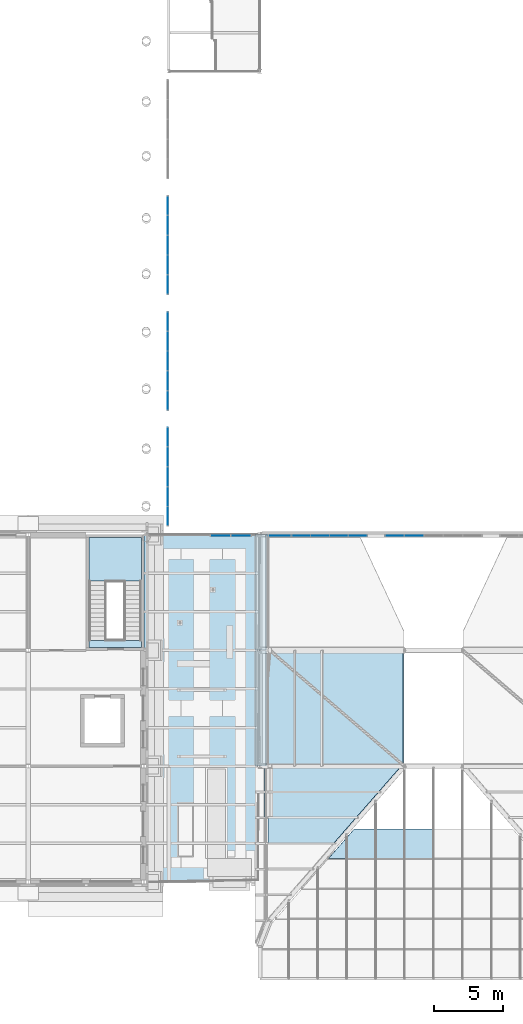
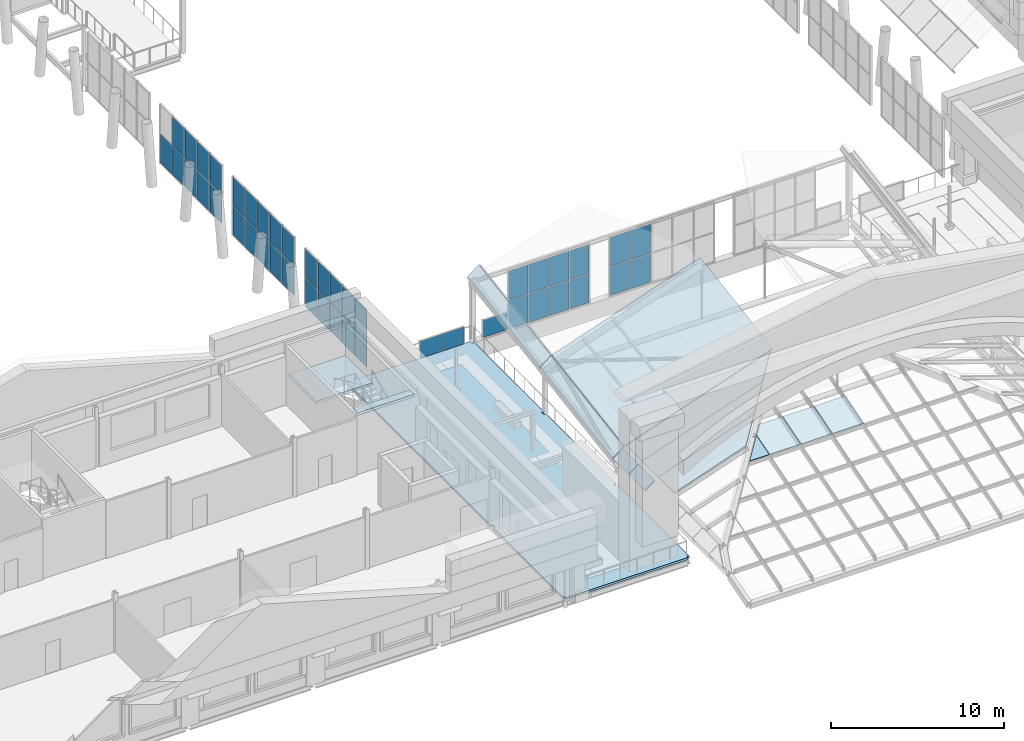
# One storey, part 34 of 76: 48 plates, 11 slabs, 8 elements without a shape of their own.
"""IFC4 building model written with IfcOpenShell, lengths in metres."""

from ifc_helpers import new_model, si_unit, direction, frame, origin, origin_2d, place, context, subcontext, project, spatial, polyline, rectangle, outline, extrude, material, layer, layer_set, type_object, element, aggregate, save


model = new_model("IFC4")

# Units and contexts
model_context = context("Model", 3, precision=1e-05, world=origin(), true_north=direction((0.0, 1.0)))
body_context = subcontext(model_context, "Body", "Model", "MODEL_VIEW")
ifc_project = project(units=[si_unit("LENGTHUNIT", "METRE"), si_unit("AREAUNIT", "SQUARE_METRE"), si_unit("VOLUMEUNIT", "CUBIC_METRE"), si_unit("PLANEANGLEUNIT", "RADIAN"), si_unit("MASSUNIT", "GRAM", prefix="KILO")], contexts=[model_context])

# Site, building, storey
site_placement = place(None, origin())
site = spatial("IfcSite", under=ifc_project, at=site_placement, CompositionType="ELEMENT")
building_placement = place(site_placement, origin())
building = spatial("IfcBuilding", under=site, at=building_placement, Name="Sava Quay Ferry Terminal", CompositionType="ELEMENT")
storey_placement = place(building_placement, frame((0.0, 0.0, 10.800048828125)))
storey = spatial("IfcBuildingStorey", under=building, at=storey_placement, Name="L02", CompositionType="ELEMENT", Elevation=10.800048828125)

# Slab
ifc_material_1 = material(Name="Concrete C30/37", Category="concrete")
ifc_layer_1 = layer(ifc_material_1, 0.14990234375)
ifc_layer_set_1 = layer_set([ifc_layer_1], Name="Concrete C30/37")
slab_type_1 = type_object("IfcSlabType", Name="Composite terrace slab 150", PredefinedType="ROOF", material=ifc_layer_set_1)
slab_1_placement = place(storey_placement, frame((0.0, 0.0, -0.150146484375)))
element("IfcSlab", 1, at=slab_1_placement, inside=storey, type_object=slab_type_1, Name="TA terrace slab L02", PredefinedType="ROOF", context=body_context, shape_type="SweptSolid", body=[
    extrude(outline(polyline([(50.39990234375, 25.340087890625), (50.260009765625, 25.340087890625), (50.260009765625, 25.199951171875), (42.139892578125, 25.199951171875), (42.139892578125, 25.340087890625), (42.0, 25.340087890625), (42.0, 33.4599609375), (42.139892578125, 33.4599609375), (42.139892578125, 33.739990234375), (42.0, 33.739990234375), (42.0, 42.0), (42.0, 50.39990234375), (50.239990234375, 50.39990234375), (50.239990234375, 50.2099609375), (50.39990234375, 50.2099609375), (50.39990234375, 42.139892578125), (50.260009765625, 42.139892578125), (50.260009765625, 41.860107421875), (50.39990234375, 41.860107421875), (50.39990234375, 33.739990234375), (50.260009765625, 33.739990234375), (50.260009765625, 33.4599609375), (50.39990234375, 33.4599609375), (50.39990234375, 25.340087890625)])), origin(), (0.0, 0.0, 1.0), 0.150146484375),
])

# Curtain wall, plates
ifc_material_2 = material(Name="Aluminium and glass curtain wall, double low-e glazed", Category="aluminium")
curtain_wall_type_1 = type_object("IfcCurtainWallType", Name="Curtain wall CW-G gable", PredefinedType="NOTDEFINED", material=ifc_material_2)
curtain_wall_1_placement = place(storey_placement, origin())
curtain_wall_1 = element("IfcCurtainWall", 2, at=curtain_wall_1_placement, inside=storey, type_object=curtain_wall_type_1, Name="Curtain wall D-S L02 bay 11", PredefinedType="NOTDEFINED")
ifc_material_3 = material(Name="Laminated glass, double low-e glazed unit", Category="glass")
ifc_layer_2 = layer(ifc_material_3, 0.028076171875)
ifc_layer_set_2 = layer_set([ifc_layer_2], Name="Laminated glass, double low-e glazed unit")
plate_type_1 = type_object("IfcPlateType", Name="Glass panel 28 double low-e", PredefinedType="CURTAIN_PANEL", material=ifc_layer_set_2)
plate_1_placement = place(storey_placement, frame((47.550048828125, 50.31494140625, 0.0498046875), z_axis=(0.0, 0.0, 1.0), x_axis=(1.0, 0.0, 0.0)))
plate_1 = element("IfcPlate", 3, at=plate_1_placement, type_object=plate_type_1, Name="CW88 panel 1.1", PredefinedType="CURTAIN_PANEL", context=body_context, shape_type="SweptSolid", body=[
    extrude(rectangle(XDim=1.419921875, YDim=0.028076171875, at=origin_2d()), origin(), (0.0, 0.0, 1.0), 1.199951171875),
])
plate_2_placement = place(storey_placement, frame((49.030029296875, 50.31494140625, 0.0498046875), z_axis=(0.0, 0.0, 1.0), x_axis=(1.0, 0.0, 0.0)))
plate_2 = element("IfcPlate", 4, at=plate_2_placement, type_object=plate_type_1, Name="CW88 panel 2.1", PredefinedType="CURTAIN_PANEL", context=body_context, shape_type="SweptSolid", body=[
    extrude(rectangle(XDim=1.419921875, YDim=0.028076171875, at=origin_2d()), origin(), (0.0, 0.0, 1.0), 1.199951171875),
])
aggregate(curtain_wall_1, [plate_1, plate_2])

# Curtain wall, plate
curtain_wall_2_placement = place(storey_placement, origin())
curtain_wall_2 = element("IfcCurtainWall", 5, at=curtain_wall_2_placement, inside=storey, type_object=curtain_wall_type_1, Name="Curtain wall D-S L02 bay 12", PredefinedType="NOTDEFINED")
plate_3_placement = place(storey_placement, frame((51.85009765625, 50.31494140625, 0.0498046875), z_axis=(0.0, 0.0, 1.0), x_axis=(1.0, 0.0, 0.0)))
plate_3 = element("IfcPlate", 6, at=plate_3_placement, type_object=plate_type_1, Name="CW89 panel 1.1", PredefinedType="CURTAIN_PANEL", context=body_context, shape_type="SweptSolid", body=[
    extrude(rectangle(XDim=1.580078125, YDim=0.028076171875, at=origin_2d()), origin(), (0.0, 0.0, 1.0), 1.199951171875),
])
aggregate(curtain_wall_2, [plate_3])

# Curtain wall, plates
curtain_wall_3_placement = place(storey_placement, origin())
curtain_wall_3 = element("IfcCurtainWall", 7, at=curtain_wall_3_placement, inside=storey, type_object=curtain_wall_type_1, Name="Curtain wall D-S L02 bay 21", PredefinedType="NOTDEFINED")
plate_4_placement = place(storey_placement, frame((53.402587890625, 50.31494140625, 0.050048828125), z_axis=(0.0, 0.0, 1.0), x_axis=(1.0, 0.0, 0.0)))
plate_4 = element("IfcPlate", 8, at=plate_4_placement, type_object=plate_type_1, Name="CW90 panel 1.1", PredefinedType="CURTAIN_PANEL", context=body_context, shape_type="SweptSolid", body=[
    extrude(rectangle(XDim=1.284912109375, YDim=0.028076171875, at=origin_2d()), origin(), (0.0, 0.0, 1.0), 2.02490234375),
])
plate_5_placement = place(storey_placement, frame((53.402587890625, 50.31494140625, 2.125), z_axis=(0.0, 0.0, 1.0), x_axis=(1.0, 0.0, 0.0)))
plate_5 = element("IfcPlate", 9, at=plate_5_placement, type_object=plate_type_1, Name="CW90 panel 1.2", PredefinedType="CURTAIN_PANEL", context=body_context, shape_type="SweptSolid", body=[
    extrude(rectangle(XDim=1.284912109375, YDim=0.028076171875, at=origin_2d()), origin(), (0.0, 0.0, 1.0), 2.02490234375),
])
plate_6_placement = place(storey_placement, frame((54.762451171875, 50.31494140625, 0.050048828125), z_axis=(0.0, 0.0, 1.0), x_axis=(1.0, 0.0, 0.0)))
plate_6 = element("IfcPlate", 10, at=plate_6_placement, type_object=plate_type_1, Name="CW90 panel 2.1", PredefinedType="CURTAIN_PANEL", context=body_context, shape_type="SweptSolid", body=[
    extrude(rectangle(XDim=1.31494140625, YDim=0.028076171875, at=origin_2d()), origin(), (0.0, 0.0, 1.0), 2.02490234375),
])
plate_7_placement = place(storey_placement, frame((54.762451171875, 50.31494140625, 2.125), z_axis=(0.0, 0.0, 1.0), x_axis=(1.0, 0.0, 0.0)))
plate_7 = element("IfcPlate", 11, at=plate_7_placement, type_object=plate_type_1, Name="CW90 panel 2.2", PredefinedType="CURTAIN_PANEL", context=body_context, shape_type="SweptSolid", body=[
    extrude(rectangle(XDim=1.31494140625, YDim=0.028076171875, at=origin_2d()), origin(), (0.0, 0.0, 1.0), 2.02490234375),
])
plate_8_placement = place(storey_placement, frame((56.137451171875, 50.31494140625, 0.050048828125), z_axis=(0.0, 0.0, 1.0), x_axis=(1.0, 0.0, 0.0)))
plate_8 = element("IfcPlate", 12, at=plate_8_placement, type_object=plate_type_1, Name="CW90 panel 3.1", PredefinedType="CURTAIN_PANEL", context=body_context, shape_type="SweptSolid", body=[
    extrude(rectangle(XDim=1.31494140625, YDim=0.028076171875, at=origin_2d()), origin(), (0.0, 0.0, 1.0), 2.02490234375),
])
plate_9_placement = place(storey_placement, frame((56.137451171875, 50.31494140625, 2.125), z_axis=(0.0, 0.0, 1.0), x_axis=(1.0, 0.0, 0.0)))
plate_9 = element("IfcPlate", 13, at=plate_9_placement, type_object=plate_type_1, Name="CW90 panel 3.2", PredefinedType="CURTAIN_PANEL", context=body_context, shape_type="SweptSolid", body=[
    extrude(rectangle(XDim=1.31494140625, YDim=0.028076171875, at=origin_2d()), origin(), (0.0, 0.0, 1.0), 2.02490234375),
])
plate_10_placement = place(storey_placement, frame((57.49755859375, 50.31494140625, 0.050048828125), z_axis=(0.0, 0.0, 1.0), x_axis=(1.0, 0.0, 0.0)))
plate_10 = element("IfcPlate", 14, at=plate_10_placement, type_object=plate_type_1, Name="CW90 panel 4.1", PredefinedType="CURTAIN_PANEL", context=body_context, shape_type="SweptSolid", body=[
    extrude(rectangle(XDim=1.284912109375, YDim=0.028076171875, at=origin_2d()), origin(), (0.0, 0.0, 1.0), 2.02490234375),
])
plate_11_placement = place(storey_placement, frame((57.49755859375, 50.31494140625, 2.125), z_axis=(0.0, 0.0, 1.0), x_axis=(1.0, 0.0, 0.0)))
plate_11 = element("IfcPlate", 15, at=plate_11_placement, type_object=plate_type_1, Name="CW90 panel 4.2", PredefinedType="CURTAIN_PANEL", context=body_context, shape_type="SweptSolid", body=[
    extrude(rectangle(XDim=1.284912109375, YDim=0.028076171875, at=origin_2d()), origin(), (0.0, 0.0, 1.0), 2.02490234375),
])
aggregate(curtain_wall_3, [plate_4, plate_5, plate_6, plate_7, plate_8, plate_9, plate_10, plate_11])

curtain_wall_4_placement = place(storey_placement, origin())
curtain_wall_4 = element("IfcCurtainWall", 16, at=curtain_wall_4_placement, inside=storey, type_object=curtain_wall_type_1, Name="Curtain wall D-S L02 bay 31", PredefinedType="NOTDEFINED")
plate_12_placement = place(storey_placement, frame((60.19091796875, 50.31494140625, 0.050048828125), z_axis=(0.0, 0.0, 1.0), x_axis=(1.0, 0.0, 0.0)))
plate_12 = element("IfcPlate", 17, at=plate_12_placement, type_object=plate_type_1, Name="CW91 panel 1.1", PredefinedType="CURTAIN_PANEL", context=body_context, shape_type="SweptSolid", body=[
    extrude(rectangle(XDim=1.322021484375, YDim=0.028076171875, at=origin_2d()), origin(), (0.0, 0.0, 1.0), 2.02490234375),
])
plate_13_placement = place(storey_placement, frame((60.19091796875, 50.31494140625, 2.125), z_axis=(0.0, 0.0, 1.0), x_axis=(1.0, 0.0, 0.0)))
plate_13 = element("IfcPlate", 18, at=plate_13_placement, type_object=plate_type_1, Name="CW91 panel 1.2", PredefinedType="CURTAIN_PANEL", context=body_context, shape_type="SweptSolid", body=[
    extrude(rectangle(XDim=1.322021484375, YDim=0.028076171875, at=origin_2d()), origin(), (0.0, 0.0, 1.0), 2.02490234375),
])
plate_14_placement = place(storey_placement, frame((61.587890625, 50.31494140625, 0.050048828125), z_axis=(0.0, 0.0, 1.0), x_axis=(1.0, 0.0, 0.0)))
plate_14 = element("IfcPlate", 19, at=plate_14_placement, type_object=plate_type_1, Name="CW91 panel 2.1", PredefinedType="CURTAIN_PANEL", context=body_context, shape_type="SweptSolid", body=[
    extrude(rectangle(XDim=1.35205078125, YDim=0.028076171875, at=origin_2d()), origin(), (0.0, 0.0, 1.0), 2.02490234375),
])
plate_15_placement = place(storey_placement, frame((61.587890625, 50.31494140625, 2.125), z_axis=(0.0, 0.0, 1.0), x_axis=(1.0, 0.0, 0.0)))
plate_15 = element("IfcPlate", 20, at=plate_15_placement, type_object=plate_type_1, Name="CW91 panel 2.2", PredefinedType="CURTAIN_PANEL", context=body_context, shape_type="SweptSolid", body=[
    extrude(rectangle(XDim=1.35205078125, YDim=0.028076171875, at=origin_2d()), origin(), (0.0, 0.0, 1.0), 2.02490234375),
])
aggregate(curtain_wall_4, [plate_12, plate_13, plate_14, plate_15])

ifc_material_4 = material(Name="Aluminium and glass curtain wall, double low-e glazed", Category="aluminium")
curtain_wall_type_2 = type_object("IfcCurtainWallType", Name="Curtain wall CW-F flank", PredefinedType="NOTDEFINED", material=ifc_material_4)
curtain_wall_5_placement = place(storey_placement, origin())
curtain_wall_5 = element("IfcCurtainWall", 21, at=curtain_wall_5_placement, inside=storey, type_object=curtain_wall_type_2, Name="Curtain wall D-W L02 bay 1", PredefinedType="NOTDEFINED")
plate_16_placement = place(storey_placement, frame((43.72509765625, 51.735107421875, 0.050048828125), z_axis=(0.0, 0.0, 1.0), x_axis=(0.0, 1.0, 0.0)))
plate_16 = element("IfcPlate", 22, at=plate_16_placement, type_object=plate_type_1, Name="CW97 panel 1.1", PredefinedType="CURTAIN_PANEL", context=body_context, shape_type="SweptSolid", body=[
    extrude(rectangle(XDim=1.35009765625, YDim=0.028076171875, at=origin_2d()), origin(), (0.0, 0.0, 1.0), 2.02490234375),
])
plate_17_placement = place(storey_placement, frame((43.72509765625, 51.735107421875, 2.125), z_axis=(0.0, 0.0, 1.0), x_axis=(0.0, 1.0, 0.0)))
plate_17 = element("IfcPlate", 23, at=plate_17_placement, type_object=plate_type_1, Name="CW97 panel 1.2", PredefinedType="CURTAIN_PANEL", context=body_context, shape_type="SweptSolid", body=[
    extrude(rectangle(XDim=1.35009765625, YDim=0.028076171875, at=origin_2d()), origin(), (0.0, 0.0, 1.0), 2.02490234375),
])
plate_18_placement = place(storey_placement, frame((43.72509765625, 53.159912109375, 0.050048828125), z_axis=(0.0, 0.0, 1.0), x_axis=(0.0, 1.0, 0.0)))
plate_18 = element("IfcPlate", 24, at=plate_18_placement, type_object=plate_type_1, Name="CW97 panel 2.1", PredefinedType="CURTAIN_PANEL", context=body_context, shape_type="SweptSolid", body=[
    extrude(rectangle(XDim=1.3798828125, YDim=0.028076171875, at=origin_2d()), origin(), (0.0, 0.0, 1.0), 2.02490234375),
])
plate_19_placement = place(storey_placement, frame((43.72509765625, 53.159912109375, 2.125), z_axis=(0.0, 0.0, 1.0), x_axis=(0.0, 1.0, 0.0)))
plate_19 = element("IfcPlate", 25, at=plate_19_placement, type_object=plate_type_1, Name="CW97 panel 2.2", PredefinedType="CURTAIN_PANEL", context=body_context, shape_type="SweptSolid", body=[
    extrude(rectangle(XDim=1.3798828125, YDim=0.028076171875, at=origin_2d()), origin(), (0.0, 0.0, 1.0), 2.02490234375),
])
plate_20_placement = place(storey_placement, frame((43.72509765625, 54.60009765625, 0.050048828125), z_axis=(0.0, 0.0, 1.0), x_axis=(0.0, 1.0, 0.0)))
plate_20 = element("IfcPlate", 26, at=plate_20_placement, type_object=plate_type_1, Name="CW97 panel 3.1", PredefinedType="CURTAIN_PANEL", context=body_context, shape_type="SweptSolid", body=[
    extrude(rectangle(XDim=1.3798828125, YDim=0.028076171875, at=origin_2d()), origin(), (0.0, 0.0, 1.0), 2.02490234375),
])
plate_21_placement = place(storey_placement, frame((43.72509765625, 54.60009765625, 2.125), z_axis=(0.0, 0.0, 1.0), x_axis=(0.0, 1.0, 0.0)))
plate_21 = element("IfcPlate", 27, at=plate_21_placement, type_object=plate_type_1, Name="CW97 panel 3.2", PredefinedType="CURTAIN_PANEL", context=body_context, shape_type="SweptSolid", body=[
    extrude(rectangle(XDim=1.3798828125, YDim=0.028076171875, at=origin_2d()), origin(), (0.0, 0.0, 1.0), 2.02490234375),
])
plate_22_placement = place(storey_placement, frame((43.72509765625, 56.0400390625, 0.050048828125), z_axis=(0.0, 0.0, 1.0), x_axis=(0.0, 1.0, 0.0)))
plate_22 = element("IfcPlate", 28, at=plate_22_placement, type_object=plate_type_1, Name="CW97 panel 4.1", PredefinedType="CURTAIN_PANEL", context=body_context, shape_type="SweptSolid", body=[
    extrude(rectangle(XDim=1.3798828125, YDim=0.028076171875, at=origin_2d()), origin(), (0.0, 0.0, 1.0), 2.02490234375),
])
plate_23_placement = place(storey_placement, frame((43.72509765625, 56.0400390625, 2.125), z_axis=(0.0, 0.0, 1.0), x_axis=(0.0, 1.0, 0.0)))
plate_23 = element("IfcPlate", 29, at=plate_23_placement, type_object=plate_type_1, Name="CW97 panel 4.2", PredefinedType="CURTAIN_PANEL", context=body_context, shape_type="SweptSolid", body=[
    extrude(rectangle(XDim=1.3798828125, YDim=0.028076171875, at=origin_2d()), origin(), (0.0, 0.0, 1.0), 2.02490234375),
])
plate_24_placement = place(storey_placement, frame((43.72509765625, 57.465087890625, 0.050048828125), z_axis=(0.0, 0.0, 1.0), x_axis=(0.0, 1.0, 0.0)))
plate_24 = element("IfcPlate", 30, at=plate_24_placement, type_object=plate_type_1, Name="CW97 panel 5.1", PredefinedType="CURTAIN_PANEL", context=body_context, shape_type="SweptSolid", body=[
    extrude(rectangle(XDim=1.35009765625, YDim=0.028076171875, at=origin_2d()), origin(), (0.0, 0.0, 1.0), 2.02490234375),
])
plate_25_placement = place(storey_placement, frame((43.72509765625, 57.465087890625, 2.125), z_axis=(0.0, 0.0, 1.0), x_axis=(0.0, 1.0, 0.0)))
plate_25 = element("IfcPlate", 31, at=plate_25_placement, type_object=plate_type_1, Name="CW97 panel 5.2", PredefinedType="CURTAIN_PANEL", context=body_context, shape_type="SweptSolid", body=[
    extrude(rectangle(XDim=1.35009765625, YDim=0.028076171875, at=origin_2d()), origin(), (0.0, 0.0, 1.0), 2.02490234375),
])
aggregate(curtain_wall_5, [plate_16, plate_17, plate_18, plate_19, plate_20, plate_21, plate_22, plate_23, plate_24, plate_25])

curtain_wall_6_placement = place(storey_placement, origin())
curtain_wall_6 = element("IfcCurtainWall", 32, at=curtain_wall_6_placement, inside=storey, type_object=curtain_wall_type_2, Name="Curtain wall D-W L02 bay 2", PredefinedType="NOTDEFINED")
plate_26_placement = place(storey_placement, frame((43.72509765625, 60.135009765625, 0.050048828125), z_axis=(0.0, 0.0, 1.0), x_axis=(0.0, 1.0, 0.0)))
plate_26 = element("IfcPlate", 33, at=plate_26_placement, type_object=plate_type_1, Name="CW101 panel 1.1", PredefinedType="CURTAIN_PANEL", context=body_context, shape_type="SweptSolid", body=[
    extrude(rectangle(XDim=1.35009765625, YDim=0.028076171875, at=origin_2d()), origin(), (0.0, 0.0, 1.0), 2.02490234375),
])
plate_27_placement = place(storey_placement, frame((43.72509765625, 60.135009765625, 2.125), z_axis=(0.0, 0.0, 1.0), x_axis=(0.0, 1.0, 0.0)))
plate_27 = element("IfcPlate", 34, at=plate_27_placement, type_object=plate_type_1, Name="CW101 panel 1.2", PredefinedType="CURTAIN_PANEL", context=body_context, shape_type="SweptSolid", body=[
    extrude(rectangle(XDim=1.35009765625, YDim=0.028076171875, at=origin_2d()), origin(), (0.0, 0.0, 1.0), 2.02490234375),
])
plate_28_placement = place(storey_placement, frame((43.72509765625, 61.56005859375, 0.050048828125), z_axis=(0.0, 0.0, 1.0), x_axis=(0.0, 1.0, 0.0)))
plate_28 = element("IfcPlate", 35, at=plate_28_placement, type_object=plate_type_1, Name="CW101 panel 2.1", PredefinedType="CURTAIN_PANEL", context=body_context, shape_type="SweptSolid", body=[
    extrude(rectangle(XDim=1.3798828125, YDim=0.028076171875, at=origin_2d()), origin(), (0.0, 0.0, 1.0), 2.02490234375),
])
plate_29_placement = place(storey_placement, frame((43.72509765625, 61.56005859375, 2.125), z_axis=(0.0, 0.0, 1.0), x_axis=(0.0, 1.0, 0.0)))
plate_29 = element("IfcPlate", 36, at=plate_29_placement, type_object=plate_type_1, Name="CW101 panel 2.2", PredefinedType="CURTAIN_PANEL", context=body_context, shape_type="SweptSolid", body=[
    extrude(rectangle(XDim=1.3798828125, YDim=0.028076171875, at=origin_2d()), origin(), (0.0, 0.0, 1.0), 2.02490234375),
])
plate_30_placement = place(storey_placement, frame((43.72509765625, 63.0, 0.050048828125), z_axis=(0.0, 0.0, 1.0), x_axis=(0.0, 1.0, 0.0)))
plate_30 = element("IfcPlate", 37, at=plate_30_placement, type_object=plate_type_1, Name="CW101 panel 3.1", PredefinedType="CURTAIN_PANEL", context=body_context, shape_type="SweptSolid", body=[
    extrude(rectangle(XDim=1.3798828125, YDim=0.028076171875, at=origin_2d()), origin(), (0.0, 0.0, 1.0), 2.02490234375),
])
plate_31_placement = place(storey_placement, frame((43.72509765625, 63.0, 2.125), z_axis=(0.0, 0.0, 1.0), x_axis=(0.0, 1.0, 0.0)))
plate_31 = element("IfcPlate", 38, at=plate_31_placement, type_object=plate_type_1, Name="CW101 panel 3.2", PredefinedType="CURTAIN_PANEL", context=body_context, shape_type="SweptSolid", body=[
    extrude(rectangle(XDim=1.3798828125, YDim=0.028076171875, at=origin_2d()), origin(), (0.0, 0.0, 1.0), 2.02490234375),
])
plate_32_placement = place(storey_placement, frame((43.72509765625, 64.43994140625, 0.050048828125), z_axis=(0.0, 0.0, 1.0), x_axis=(0.0, 1.0, 0.0)))
plate_32 = element("IfcPlate", 39, at=plate_32_placement, type_object=plate_type_1, Name="CW101 panel 4.1", PredefinedType="CURTAIN_PANEL", context=body_context, shape_type="SweptSolid", body=[
    extrude(rectangle(XDim=1.3798828125, YDim=0.028076171875, at=origin_2d()), origin(), (0.0, 0.0, 1.0), 2.02490234375),
])
plate_33_placement = place(storey_placement, frame((43.72509765625, 64.43994140625, 2.125), z_axis=(0.0, 0.0, 1.0), x_axis=(0.0, 1.0, 0.0)))
plate_33 = element("IfcPlate", 40, at=plate_33_placement, type_object=plate_type_1, Name="CW101 panel 4.2", PredefinedType="CURTAIN_PANEL", context=body_context, shape_type="SweptSolid", body=[
    extrude(rectangle(XDim=1.3798828125, YDim=0.028076171875, at=origin_2d()), origin(), (0.0, 0.0, 1.0), 2.02490234375),
])
plate_34_placement = place(storey_placement, frame((43.72509765625, 65.864990234375, 0.050048828125), z_axis=(0.0, 0.0, 1.0), x_axis=(0.0, 1.0, 0.0)))
plate_34 = element("IfcPlate", 41, at=plate_34_placement, type_object=plate_type_1, Name="CW101 panel 5.1", PredefinedType="CURTAIN_PANEL", context=body_context, shape_type="SweptSolid", body=[
    extrude(rectangle(XDim=1.35009765625, YDim=0.028076171875, at=origin_2d()), origin(), (0.0, 0.0, 1.0), 2.02490234375),
])
plate_35_placement = place(storey_placement, frame((43.72509765625, 65.864990234375, 2.125), z_axis=(0.0, 0.0, 1.0), x_axis=(0.0, 1.0, 0.0)))
plate_35 = element("IfcPlate", 42, at=plate_35_placement, type_object=plate_type_1, Name="CW101 panel 5.2", PredefinedType="CURTAIN_PANEL", context=body_context, shape_type="SweptSolid", body=[
    extrude(rectangle(XDim=1.35009765625, YDim=0.028076171875, at=origin_2d()), origin(), (0.0, 0.0, 1.0), 2.02490234375),
])
aggregate(curtain_wall_6, [plate_26, plate_27, plate_28, plate_29, plate_30, plate_31, plate_32, plate_33, plate_34, plate_35])

curtain_wall_7_placement = place(storey_placement, origin())
curtain_wall_7 = element("IfcCurtainWall", 43, at=curtain_wall_7_placement, inside=storey, type_object=curtain_wall_type_2, Name="Curtain wall D-W L02 bay 3", PredefinedType="NOTDEFINED")
plate_36_placement = place(storey_placement, frame((43.72509765625, 68.534912109375, 0.050048828125), z_axis=(0.0, 0.0, 1.0), x_axis=(0.0, 1.0, 0.0)))
plate_36 = element("IfcPlate", 44, at=plate_36_placement, type_object=plate_type_1, Name="CW105 panel 1.1", PredefinedType="CURTAIN_PANEL", context=body_context, shape_type="SweptSolid", body=[
    extrude(rectangle(XDim=1.35009765625, YDim=0.028076171875, at=origin_2d()), origin(), (0.0, 0.0, 1.0), 2.02490234375),
])
plate_37_placement = place(storey_placement, frame((43.72509765625, 68.534912109375, 2.125), z_axis=(0.0, 0.0, 1.0), x_axis=(0.0, 1.0, 0.0)))
plate_37 = element("IfcPlate", 45, at=plate_37_placement, type_object=plate_type_1, Name="CW105 panel 1.2", PredefinedType="CURTAIN_PANEL", context=body_context, shape_type="SweptSolid", body=[
    extrude(rectangle(XDim=1.35009765625, YDim=0.028076171875, at=origin_2d()), origin(), (0.0, 0.0, 1.0), 2.02490234375),
])
plate_38_placement = place(storey_placement, frame((43.72509765625, 69.9599609375, 0.050048828125), z_axis=(0.0, 0.0, 1.0), x_axis=(0.0, 1.0, 0.0)))
plate_38 = element("IfcPlate", 46, at=plate_38_placement, type_object=plate_type_1, Name="CW105 panel 2.1", PredefinedType="CURTAIN_PANEL", context=body_context, shape_type="SweptSolid", body=[
    extrude(rectangle(XDim=1.3798828125, YDim=0.028076171875, at=origin_2d()), origin(), (0.0, 0.0, 1.0), 2.02490234375),
])
plate_39_placement = place(storey_placement, frame((43.72509765625, 69.9599609375, 2.125), z_axis=(0.0, 0.0, 1.0), x_axis=(0.0, 1.0, 0.0)))
plate_39 = element("IfcPlate", 47, at=plate_39_placement, type_object=plate_type_1, Name="CW105 panel 2.2", PredefinedType="CURTAIN_PANEL", context=body_context, shape_type="SweptSolid", body=[
    extrude(rectangle(XDim=1.3798828125, YDim=0.028076171875, at=origin_2d()), origin(), (0.0, 0.0, 1.0), 2.02490234375),
])
plate_40_placement = place(storey_placement, frame((43.72509765625, 71.39990234375, 0.050048828125), z_axis=(0.0, 0.0, 1.0), x_axis=(0.0, 1.0, 0.0)))
plate_40 = element("IfcPlate", 48, at=plate_40_placement, type_object=plate_type_1, Name="CW105 panel 3.1", PredefinedType="CURTAIN_PANEL", context=body_context, shape_type="SweptSolid", body=[
    extrude(rectangle(XDim=1.3798828125, YDim=0.028076171875, at=origin_2d()), origin(), (0.0, 0.0, 1.0), 2.02490234375),
])
plate_41_placement = place(storey_placement, frame((43.72509765625, 71.39990234375, 2.125), z_axis=(0.0, 0.0, 1.0), x_axis=(0.0, 1.0, 0.0)))
plate_41 = element("IfcPlate", 49, at=plate_41_placement, type_object=plate_type_1, Name="CW105 panel 3.2", PredefinedType="CURTAIN_PANEL", context=body_context, shape_type="SweptSolid", body=[
    extrude(rectangle(XDim=1.3798828125, YDim=0.028076171875, at=origin_2d()), origin(), (0.0, 0.0, 1.0), 2.02490234375),
])
plate_42_placement = place(storey_placement, frame((43.72509765625, 72.840087890625, 0.050048828125), z_axis=(0.0, 0.0, 1.0), x_axis=(0.0, 1.0, 0.0)))
plate_42 = element("IfcPlate", 50, at=plate_42_placement, type_object=plate_type_1, Name="CW105 panel 4.1", PredefinedType="CURTAIN_PANEL", context=body_context, shape_type="SweptSolid", body=[
    extrude(rectangle(XDim=1.3798828125, YDim=0.028076171875, at=origin_2d()), origin(), (0.0, 0.0, 1.0), 2.02490234375),
])
plate_43_placement = place(storey_placement, frame((43.72509765625, 72.840087890625, 2.125), z_axis=(0.0, 0.0, 1.0), x_axis=(0.0, 1.0, 0.0)))
plate_43 = element("IfcPlate", 51, at=plate_43_placement, type_object=plate_type_1, Name="CW105 panel 4.2", PredefinedType="CURTAIN_PANEL", context=body_context, shape_type="SweptSolid", body=[
    extrude(rectangle(XDim=1.3798828125, YDim=0.028076171875, at=origin_2d()), origin(), (0.0, 0.0, 1.0), 2.02490234375),
])
plate_44_placement = place(storey_placement, frame((43.72509765625, 74.264892578125, 0.050048828125), z_axis=(0.0, 0.0, 1.0), x_axis=(0.0, 1.0, 0.0)))
plate_44 = element("IfcPlate", 52, at=plate_44_placement, type_object=plate_type_1, Name="CW105 panel 5.1", PredefinedType="CURTAIN_PANEL", context=body_context, shape_type="SweptSolid", body=[
    extrude(rectangle(XDim=1.35009765625, YDim=0.028076171875, at=origin_2d()), origin(), (0.0, 0.0, 1.0), 2.02490234375),
])
aggregate(curtain_wall_7, [plate_36, plate_37, plate_38, plate_39, plate_40, plate_41, plate_42, plate_43, plate_44])

# Slabs
ifc_material_5 = material(Name="Cross laminated timber C24", Category="wood")
ifc_layer_3 = layer(ifc_material_5, 0.10009765625)
ifc_layer_set_3 = layer_set([ifc_layer_3], Name="Cross laminated timber C24")
slab_type_2 = type_object("IfcSlabType", Name="Roof deck CLT 100", PredefinedType="ROOF", material=ifc_layer_set_3)
slab_2_placement = place(storey_placement, frame((50.042236328125, 33.610107421875, 1.95361328125), z_axis=(-0.610772109589, -0.125556695177, 0.781788300274), x_axis=(6.867673e-06, 0.987346908002, 0.158575165811)))
element("IfcSlab", 53, at=slab_2_placement, inside=storey, type_object=slab_type_2, Name="Arrivals hall roof deck bay 1 facet 1", PredefinedType="ROOF", context=body_context, shape_type="SweptSolid", body=[
    extrude(outline(polyline([(0.0, 0.0), (8.487285195159219, 1.1102230246251565e-16), (8.585509682919534, -1.0013934627615848), (0.09826320240040752, -1.0015406900788735), (0.0, 0.0)])), origin(), (0.0, 0.0, -1.0), 0.10009765625),
])
slab_3_placement = place(storey_placement, frame((50.8525390625, 33.610107421875, 2.58251953125), z_axis=(-0.321876613245, -0.150131101107, 0.934802705562), x_axis=(4.327635e-06, 0.987347514753, 0.158571388003)))
element("IfcSlab", 54, at=slab_3_placement, inside=storey, type_object=slab_type_2, Name="Arrivals hall roof deck bay 1 facet 2", PredefinedType="ROOF", context=body_context, shape_type="SweptSolid", body=[
    extrude(outline(polyline([(0.0, 0.0), (8.487285194928639, 1.1102230246251565e-16), (9.029978389183599, -10.497590469332398), (0.5427319079727356, -10.497668058059064), (0.0, 0.0)])), origin(), (0.0, 0.0, -1.0), 0.10009765625),
])
slab_4_placement = place(storey_placement, frame((50.042236328125, 42.010009765625, 3.302734375), z_axis=(-0.610779093845, -0.125467022993, 0.781797240122), x_axis=(-6.867987e-06, 0.987366596004, 0.158452532477)))
element("IfcSlab", 55, at=slab_4_placement, inside=storey, type_object=slab_type_2, Name="Arrivals hall roof deck bay 2 facet 1", PredefinedType="ROOF", context=body_context, shape_type="SweptSolid", body=[
    extrude(outline(polyline([(0.0, 0.0), (8.487091696807468, 1.1102230246251565e-16), (8.5852680200995, -1.0015492101610879), (0.0981376385917203, -1.0014019778035426), (0.0, 0.0)])), origin(), (0.0, 0.0, -1.0), 0.10009765625),
])
slab_5_placement = place(storey_placement, frame((50.071044921875, 33.550048828125, 1.96826171875), z_axis=(-0.615718573697, 0.0, 0.787966140139), x_axis=(0.787966140139, 0.0, 0.615718573697)))
element("IfcSlab", 56, at=slab_5_placement, inside=storey, type_object=slab_type_2, Name="Arrivals hall stern roof deck AS-F0", PredefinedType="ROOF", context=body_context, shape_type="SweptSolid", body=[
    extrude(outline(polyline([(0.0, 0.0), (0.8263337898763504, 0.0), (0.8263337898763504, -1.809326171875), (0.0, -1.809326171875), (0.0, 0.0)])), origin(), (0.0, 0.0, -1.0), 0.10009765625),
])
slab_6_placement = place(storey_placement, frame((50.071044921875, 31.720703125, 1.96826171875), z_axis=(-0.615718573697, 0.0, 0.787966140139), x_axis=(0.787966140139, 0.0, 0.615718573697)))
element("IfcSlab", 57, at=slab_6_placement, inside=storey, type_object=slab_type_2, Name="Arrivals hall stern roof deck AS-F0", PredefinedType="ROOF", context=body_context, shape_type="SweptSolid", body=[
    extrude(outline(polyline([(0.0, 0.0), (0.8263337898763504, 0.0), (0.8263337898763504, -1.849365234375), (0.0, -1.849365234375), (0.0, 0.0)])), origin(), (0.0, 0.0, -1.0), 0.10009765625),
])
slab_7_placement = place(storey_placement, frame((59.021240234375, 31.745361328125, 5.386474609375), z_axis=(-0.325568324987, 4.067879e-05, 0.945518516006), x_axis=(-0.945518516788, 3.51e-10, -0.325568325257)))
element("IfcSlab", 58, at=slab_7_placement, inside=storey, type_object=slab_type_2, Name="Arrivals hall stern roof deck AS-F1", PredefinedType="ROOF", context=body_context, shape_type="SweptSolid", body=[
    extrude(outline(polyline([(0.0, 0.0), (8.502046355968954, 0.0), (8.502046356602847, -1.804687498506834), (-1.6666833110333097, -1.8046875050649178), (0.0, 0.0)])), origin(), (0.0, 0.0, -1.0), 0.10009765625),
])
slab_8_placement = place(storey_placement, frame((57.392822265625, 29.880615234375, 4.82568359375), z_axis=(-0.325569672004, -7.167854e-06, 0.945518053037), x_axis=(-0.945518053062, 1.4e-11, -0.325569672013)))
element("IfcSlab", 59, at=slab_8_placement, inside=storey, type_object=slab_type_2, Name="Arrivals hall stern roof deck AS-F1", PredefinedType="ROOF", context=body_context, shape_type="SweptSolid", body=[
    extrude(outline(polyline([(0.0, 0.0), (6.779771221657046, -1.6940658945086007e-21), (6.779771221682834, -1.8447265624526108), (-1.703667580275431, -1.8447265626659846), (0.0, 0.0)])), origin(), (0.0, 0.0, -1.0), 0.10009765625),
])
slab_9_placement = place(storey_placement, frame((55.764404296875, 28.015869140625, 4.26513671875), z_axis=(-0.325588323214, 2.3486011e-05, 0.945511630407), x_axis=(-0.945511630668, 2.01e-10, -0.325588323304)))
element("IfcSlab", 60, at=slab_9_placement, inside=storey, type_object=slab_type_2, Name="Arrivals hall stern roof deck AS-F1", PredefinedType="ROOF", context=body_context, shape_type="SweptSolid", body=[
    extrude(outline(polyline([(0.0, 0.0), (5.057575573871034, 6.776263578034403e-21), (5.057575574242176, -1.844726561991231), (-1.7038984179207346, -1.8447265643691153), (0.0, 0.0)])), origin(), (0.0, 0.0, -1.0), 0.10009765625),
])

# Plates
ifc_material_6 = material(Name="Laminated glass", Category="glass")
ifc_layer_4 = layer(ifc_material_6, 0.0400390625)
ifc_layer_set_4 = layer_set([ifc_layer_4], Name="Laminated glass")
plate_type_2 = type_object("IfcPlateType", Name="Skylight glass 40", PredefinedType="SHEET", material=ifc_layer_set_4)
plate_45_placement = place(storey_placement, frame((56.679931640625, 26.8896484375, 4.007568359375), z_axis=(0.0, -0.287989108034, 0.957633684482), x_axis=(-1.0, 0.0, 0.0)))
element("IfcPlate", 61, at=plate_45_placement, inside=storey, type_object=plate_type_2, Name="Arrivals hall stern glass AS-E-K2.4", PredefinedType="SHEET", context=body_context, shape_type="SweptSolid", body=[
    extrude(outline(polyline([(0.0, 0.0), (1.314208984375, 0.0), (0.0, -1.5717147146298889), (0.0, 0.0)])), origin(), (0.0, 0.0, -1.0), 0.0400390625),
])
plate_46_placement = place(storey_placement, frame((58.780029296875, 29.037109375, 4.6533203125), z_axis=(-4.546636e-06, -0.28796608726, 0.957640607205), x_axis=(-5e-12, -0.957640607215, -0.287966087263)))
element("IfcPlate", 62, at=plate_46_placement, inside=storey, type_object=plate_type_2, Name="Arrivals hall stern glass AS-E-K3.4", PredefinedType="SHEET", context=body_context, shape_type="SweptSolid", body=[
    extrude(outline(polyline([(0.0, 0.0), (2.242450459441082, 4.235164736271502e-22), (2.2424504594509758, -2.0600585937287073), (0.623078300344587, -2.060058593810885), (7.391767275414595e-12, -1.539062499984092), (0.0, 0.0)])), origin(), (0.0, 0.0, -1.0), 0.0400390625),
])
plate_47_placement = place(storey_placement, frame((58.820068359375, 26.8896484375, 4.007568359375), z_axis=(0.0, -0.287967098852, 0.957640303025), x_axis=(0.0, 0.957640303025, 0.287967098852)))
element("IfcPlate", 63, at=plate_47_placement, inside=storey, type_object=plate_type_2, Name="Arrivals hall stern glass AS-E-K4.4", PredefinedType="SHEET", context=body_context, shape_type="SweptSolid", body=[
    extrude(outline(polyline([(0.0, 0.0), (2.2424504594423333, 0.0), (2.2424504594423333, -2.059814453125), (0.0, -2.059814453125), (0.0, 0.0)])), origin(), (0.0, 0.0, -1.0), 0.0400390625),
])
plate_48_placement = place(storey_placement, frame((60.919921875, 26.8896484375, 4.007568359375), z_axis=(0.0, -0.287967098852, 0.957640303025), x_axis=(0.0, 0.957640303025, 0.287967098852)))
element("IfcPlate", 64, at=plate_48_placement, inside=storey, type_object=plate_type_2, Name="Arrivals hall stern glass AS-E-K5.4", PredefinedType="SHEET", context=body_context, shape_type="SweptSolid", body=[
    extrude(outline(polyline([(0.0, 0.0), (2.2424504594423333, 0.0), (2.2424504594423333, -2.06005859375), (0.0, -2.06005859375), (0.0, 0.0)])), origin(), (0.0, 0.0, -1.0), 0.0400390625),
])

# Stair, slabs
ifc_material_7 = material(Name="Concrete C30/37", Category="concrete")
stair_type = type_object("IfcStairType", Name="Stair 1200 half landing", PredefinedType="HALF_TURN_STAIR", material=ifc_material_7)
stair_placement = place(storey_placement, origin())
stair = element("IfcStair", 65, at=stair_placement, inside=storey, type_object=stair_type, Name="Stair ST-W2 L02", PredefinedType="HALF_TURN_STAIR")
ifc_material_8 = material(Name="Concrete C30/37", Category="concrete")
ifc_layer_5 = layer(ifc_material_8, 0.199951171875)
ifc_layer_set_5 = layer_set([ifc_layer_5], Name="Concrete C30/37")
slab_type_3 = type_object("IfcSlabType", Name="Stair head floor 200", PredefinedType="FLOOR", material=ifc_layer_set_5)
slab_10_placement = place(storey_placement, frame((0.0, 0.0, 4.0)))
slab_10 = element("IfcSlab", 66, at=slab_10_placement, type_object=slab_type_3, Name="ST-W2 head floor L03", PredefinedType="FLOOR", context=body_context, shape_type="SweptSolid", body=[
    extrude(outline(polyline([(38.0, 42.199951171875), (38.0, 42.72998046875), (41.800048828125, 42.72998046875), (41.800048828125, 42.199951171875), (38.0, 42.199951171875)])), origin(), (0.0, 0.0, 1.0), 0.199951171875),
])
ifc_material_9 = material(Name="Concrete C30/37", Category="concrete")
ifc_layer_6 = layer(ifc_material_9, 0.199951171875)
ifc_layer_set_6 = layer_set([ifc_layer_6], Name="Concrete C30/37")
slab_type_4 = type_object("IfcSlabType", Name="Stair landing 200", PredefinedType="LANDING", material=ifc_layer_set_6)
slab_11_placement = place(storey_placement, frame((0.0, 0.0, 1.89990234375)))
slab_11 = element("IfcSlab", 67, at=slab_11_placement, type_object=slab_type_4, Name="ST-W2 landing 1", PredefinedType="LANDING", context=body_context, shape_type="SweptSolid", body=[
    extrude(outline(polyline([(38.0, 47.02001953125), (38.0, 50.199951171875), (41.800048828125, 50.199951171875), (41.800048828125, 47.02001953125), (38.0, 47.02001953125)])), origin(), (0.0, 0.0, 1.0), 0.199951171875),
])
aggregate(stair, [slab_11, slab_10])

save(model, "model.ifc")
